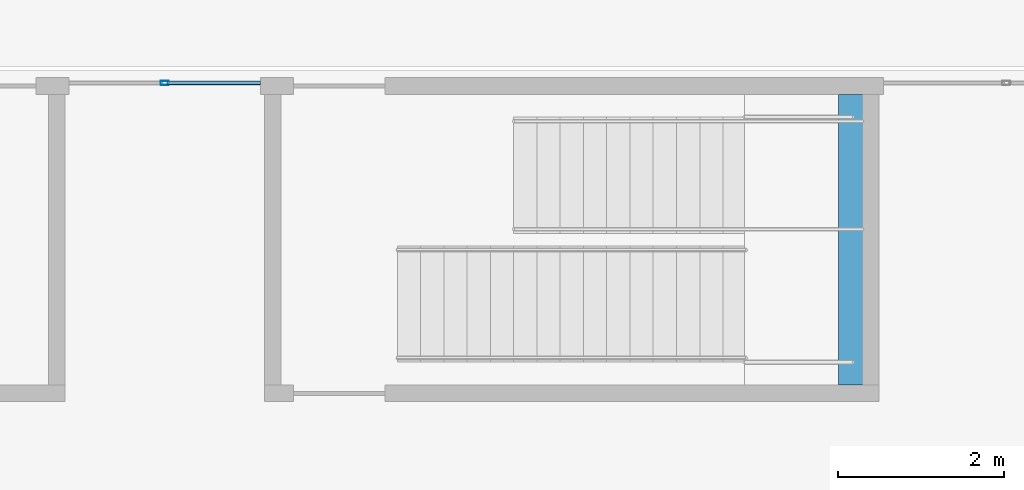
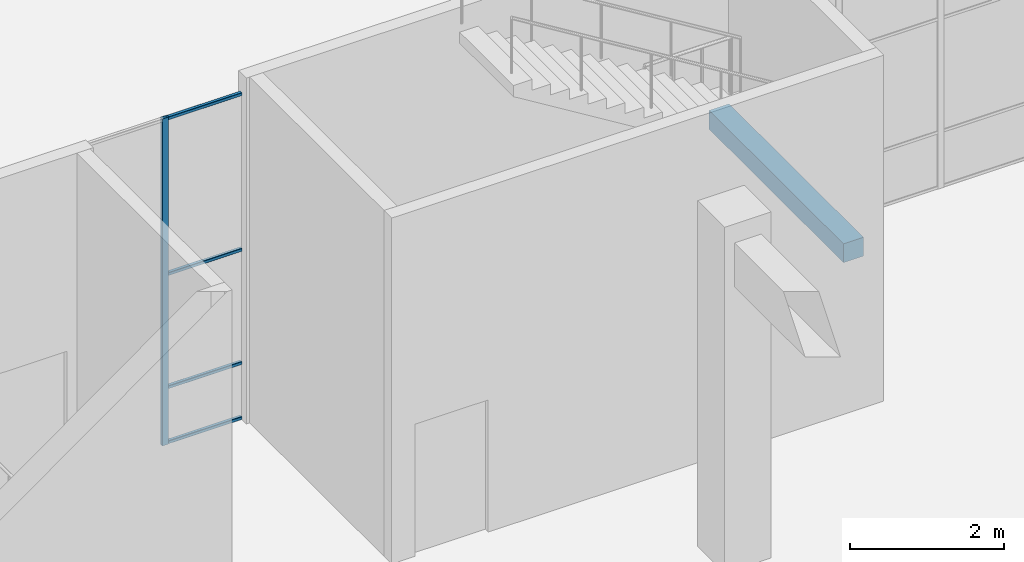
# One storey, part 22 of 72: 5 members, 1 beam, 1 element without a shape of its own.
"""IFC4 building model written with IfcOpenShell, lengths in metres."""

from ifc_helpers import new_model, si_unit, direction, frame, origin, origin_2d, place, context, subcontext, project, spatial, rectangle, hollow_rectangle, extrude, material, layer, layer_set, material_profile, profile_set, type_object, element, aggregate, save


model = new_model("IFC4")

# Units and contexts
model_context = context("Model", 3, precision=1e-05, world=origin(), true_north=direction((0.0, 1.0)))
body_context = subcontext(model_context, "Body", "Model", "MODEL_VIEW")
ifc_project = project(units=[si_unit("LENGTHUNIT", "METRE"), si_unit("AREAUNIT", "SQUARE_METRE"), si_unit("VOLUMEUNIT", "CUBIC_METRE"), si_unit("PLANEANGLEUNIT", "RADIAN"), si_unit("MASSUNIT", "GRAM", prefix="KILO")], contexts=[model_context])

# Site, building, storey
site_placement = place(None, origin())
site = spatial("IfcSite", under=ifc_project, at=site_placement, CompositionType="ELEMENT")
building_placement = place(site_placement, origin())
building = spatial("IfcBuilding", under=site, at=building_placement, Name="Tuart Plaza Theatre", CompositionType="ELEMENT")
storey_placement = place(building_placement, origin())
storey = spatial("IfcBuildingStorey", under=building, at=storey_placement, Name="L00", CompositionType="ELEMENT", Elevation=0.0)

# Beam
ifc_material_1 = material(Name="Concrete N40 (40 MPa)", Category="concrete")
ifc_material_profile_1 = material_profile(ifc_material_1, rectangle(XDim=0.300048828125, YDim=0.300048828125, at=origin_2d()), Name="BEAM 300x300 Concrete N40 (40 MPa)")
ifc_profile_set_1 = profile_set([ifc_material_profile_1], Name="Concrete N40 (40 MPa)")
beam_type = type_object("IfcBeamType", Name="BEAM 300x300 Concrete N40 (40 MPa)", PredefinedType="BEAM", material=ifc_profile_set_1)
beam_placement = place(storey_placement, frame((99.06005859375, 76.199951171875, 2.39990234375), z_axis=(0.0, 1.0, 0.0), x_axis=(-1.0, 0.0, 0.0)))
element("IfcBeam", 1, at=beam_placement, inside=storey, type_object=beam_type, Name="RB56", PredefinedType="BEAM", context=body_context, shape_type="SweptSolid", body=[
    extrude(rectangle(XDim=0.300048828125, YDim=0.300048828125, at=origin_2d()), origin(), (0.0, 0.0, 1.0), 3.5),
])

# Curtain wall, members
ifc_material_2 = material(Name="Aluminium and glass", Category="aluminium")
ifc_layer = layer(ifc_material_2, 0.10009765625)
ifc_layer_set = layer_set([ifc_layer], Name="CURTAIN WALL 1500 module")
curtain_wall_type = type_object("IfcCurtainWallType", Name="CURTAIN WALL 1500 module", PredefinedType="NOTDEFINED", material=ifc_layer_set)
curtain_wall_placement = place(storey_placement, origin())
curtain_wall = element("IfcCurtainWall", 2, at=curtain_wall_placement, inside=storey, type_object=curtain_wall_type, Name="CW11", PredefinedType="NOTDEFINED")
ifc_material_3 = material(Name="Aluminium 6063-T5", Category="aluminium")
ifc_material_profile_2 = material_profile(ifc_material_3, hollow_rectangle(XDim=0.050048828125, YDim=0.10009765625, WallThickness=0.00390625, InnerFilletRadius=0.00390625, OuterFilletRadius=0.008056640625, at=origin_2d()), Name="RHS 100x50x4")
ifc_profile_set_2 = profile_set([ifc_material_profile_2], Name="Aluminium 6063-T5")
member_type_1 = type_object("IfcMemberType", Name="MULLION RHS 100x50x4", PredefinedType="MULLION", material=ifc_profile_set_2)
member_1_placement = place(storey_placement, frame((90.800048828125, 79.8369140625, 0.0), z_axis=(0.0, 0.0, 1.0), x_axis=(0.0, 1.0, 0.0)))
member_1 = element("IfcMember", 3, at=member_1_placement, type_object=member_type_1, Name="CW11 mullion 2", PredefinedType="MULLION", context=body_context, shape_type="SweptSolid", body=[
    extrude(hollow_rectangle(XDim=0.050048828125, YDim=0.10009765625, WallThickness=0.00390625, InnerFilletRadius=0.00390625, OuterFilletRadius=0.008056640625, at=origin_2d()), origin(), (0.0, 0.0, 1.0), 5.199951171875),
])
ifc_material_4 = material(Name="Aluminium 6063-T5", Category="aluminium")
ifc_material_profile_3 = material_profile(ifc_material_4, hollow_rectangle(XDim=0.050048828125, YDim=0.050048828125, WallThickness=0.00390625, InnerFilletRadius=0.00390625, OuterFilletRadius=0.008056640625, at=origin_2d()), Name="RHS 50x50x4")
ifc_profile_set_3 = profile_set([ifc_material_profile_3], Name="Aluminium 6063-T5")
member_type_2 = type_object("IfcMemberType", Name="TRANSOM RHS 50x50x4", PredefinedType="USERDEFINED", material=ifc_profile_set_3)
member_2_placement = place(storey_placement, frame((90.824951171875, 79.8369140625, 0.02490234375), z_axis=(1.0, 0.0, 0.0), x_axis=(0.0, 1.0, 0.0)))
member_2 = element("IfcMember", 4, at=member_2_placement, type_object=member_type_2, Name="CW11 transom 2.1", ObjectType="TRANSOM", PredefinedType="USERDEFINED", context=body_context, shape_type="SweptSolid", body=[
    extrude(hollow_rectangle(XDim=0.050048828125, YDim=0.050048828125, WallThickness=0.00390625, InnerFilletRadius=0.00390625, OuterFilletRadius=0.008056640625, at=origin_2d()), origin(), (0.0, 0.0, 1.0), 1.125),
])
member_3_placement = place(storey_placement, frame((90.824951171875, 79.8369140625, 0.89990234375), z_axis=(1.0, 0.0, 0.0), x_axis=(0.0, 1.0, 0.0)))
member_3 = element("IfcMember", 5, at=member_3_placement, type_object=member_type_2, Name="CW11 transom 2.2", ObjectType="TRANSOM", PredefinedType="USERDEFINED", context=body_context, shape_type="SweptSolid", body=[
    extrude(hollow_rectangle(XDim=0.050048828125, YDim=0.050048828125, WallThickness=0.00390625, InnerFilletRadius=0.00390625, OuterFilletRadius=0.008056640625, at=origin_2d()), origin(), (0.0, 0.0, 1.0), 1.125),
])
member_4_placement = place(storey_placement, frame((90.824951171875, 79.8369140625, 2.699951171875), z_axis=(1.0, 0.0, 0.0), x_axis=(0.0, 1.0, 0.0)))
member_4 = element("IfcMember", 6, at=member_4_placement, type_object=member_type_2, Name="CW11 transom 2.3", ObjectType="TRANSOM", PredefinedType="USERDEFINED", context=body_context, shape_type="SweptSolid", body=[
    extrude(hollow_rectangle(XDim=0.050048828125, YDim=0.050048828125, WallThickness=0.00390625, InnerFilletRadius=0.00390625, OuterFilletRadius=0.008056640625, at=origin_2d()), origin(), (0.0, 0.0, 1.0), 1.125),
])
member_5_placement = place(storey_placement, frame((90.824951171875, 79.8369140625, 5.175048828125), z_axis=(1.0, 0.0, 0.0), x_axis=(0.0, 1.0, 0.0)))
member_5 = element("IfcMember", 7, at=member_5_placement, type_object=member_type_2, Name="CW11 transom 2.4", ObjectType="TRANSOM", PredefinedType="USERDEFINED", context=body_context, shape_type="SweptSolid", body=[
    extrude(hollow_rectangle(XDim=0.050048828125, YDim=0.050048828125, WallThickness=0.00390625, InnerFilletRadius=0.00390625, OuterFilletRadius=0.008056640625, at=origin_2d()), origin(), (0.0, 0.0, 1.0), 1.125),
])
aggregate(curtain_wall, [member_1, member_2, member_3, member_4, member_5])

save(model, "model.ifc")
